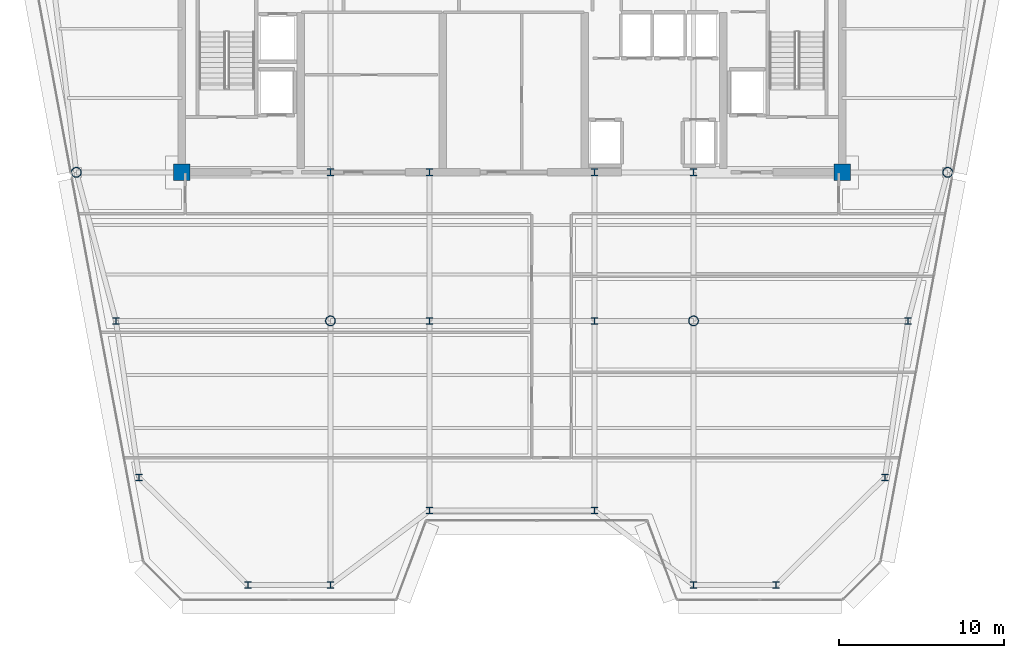
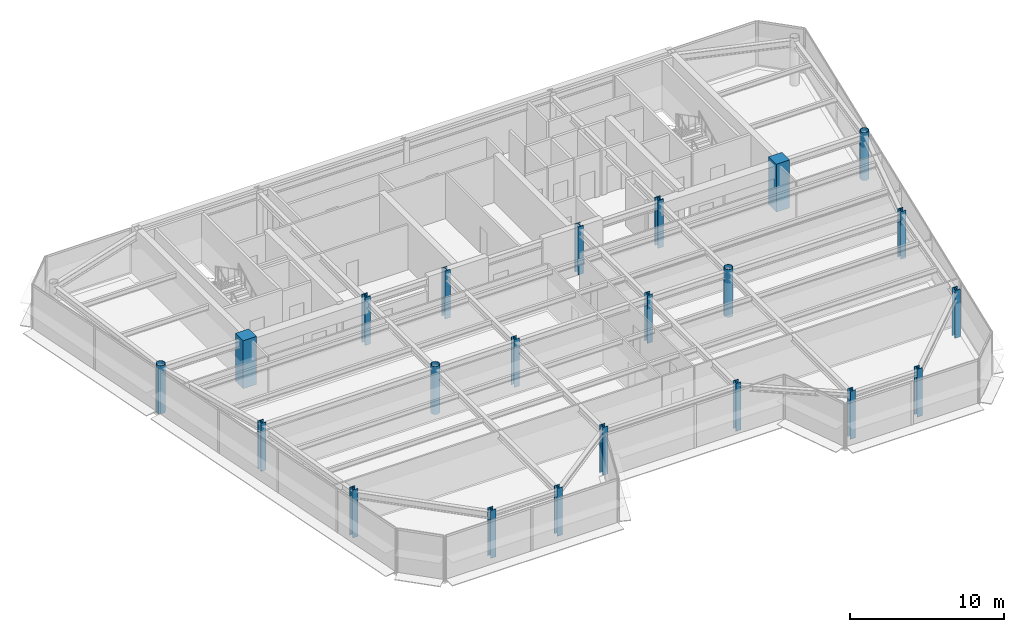
# One storey, part 1 of 18: 22 columns.
"""IFC4 building model written with IfcOpenShell, lengths in metres."""

from ifc_helpers import new_model, si_unit, direction, frame, origin, origin_2d, place, context, subcontext, project, spatial, rectangle, hollow_circle, i_section, extrude, source, transform, mapped, material, material_profile, profile_set, type_object, element, save


model = new_model("IFC4")

# Units and contexts
model_context = context("Model", 3, precision=1e-05, world=origin(), true_north=direction((0.0, 1.0)))
body_context = subcontext(model_context, "Body", "Model", "MODEL_VIEW")
ifc_project = project(units=[si_unit("LENGTHUNIT", "METRE"), si_unit("AREAUNIT", "SQUARE_METRE"), si_unit("VOLUMEUNIT", "CUBIC_METRE"), si_unit("PLANEANGLEUNIT", "RADIAN"), si_unit("MASSUNIT", "GRAM", prefix="KILO")], contexts=[model_context])

# Site, building, storey
site_placement = place(None, origin())
site = spatial("IfcSite", under=ifc_project, at=site_placement, CompositionType="ELEMENT")
building_placement = place(site_placement, origin())
building = spatial("IfcBuilding", under=site, at=building_placement, Name="Vaeldorn Concourse Tower", CompositionType="ELEMENT")
storey_placement = place(building_placement, frame((0.0, 0.0, 246.0)))
storey = spatial("IfcBuildingStorey", under=building, at=storey_placement, Name="L63", CompositionType="ELEMENT", Elevation=246.0)

# Columns
ifc_material_1 = material(Name="Concrete C50/60", Category="concrete")
ifc_material_profile_1 = material_profile(ifc_material_1, rectangle(XDim=1.0, YDim=1.0, at=origin_2d()), Name="RC 1000x1000")
ifc_profile_set_1 = profile_set([ifc_material_profile_1], Name="Concrete C50/60")
column_type_1 = type_object("IfcColumnType", Name="COL-RC1000", PredefinedType="COLUMN", material=ifc_profile_set_1)
shared_shape_1 = source(origin(), body_context, "Body", "SweptSolid", [
    extrude(rectangle(XDim=1.0, YDim=1.0, at=origin_2d()), origin(), (0.0, 0.0, 1.0), 3.800048828125),
])
for number, where, z_axis, x_axis, name in (
    (1, (14.0, 36.5, 0.0), (0.0, 0.0, 1.0), (1.0, 0.0, 0.0), "Column C-FC1 L63"),
    (2, (54.0, 36.5, 0.0), (0.0, 0.0, 1.0), (1.0, 0.0, 0.0), "Column C-FC6 L63"),
):
    element("IfcColumn", number, at=place(storey_placement, frame(where, z_axis=z_axis, x_axis=x_axis)), inside=storey, type_object=column_type_1, Name=name, PredefinedType="COLUMN", context=body_context, shape_type="MappedRepresentation", body=[
        mapped(shared_shape_1, transform((0.0, 0.0, 0.0), scale=1.0)),
    ])
ifc_material_2 = material(Name="Steel S460", Category="steel")
ifc_material_profile_2 = material_profile(ifc_material_2, i_section(OverallWidth=0.41796875, OverallDepth=0.455078125, WebThickness=0.0419921875, FlangeThickness=0.05810546875, FilletRadius=0.014892578125, at=origin_2d()), Name="HD 400x551")
ifc_profile_set_2 = profile_set([ifc_material_profile_2], Name="Steel S460")
column_type_2 = type_object("IfcColumnType", Name="COL-HD551", PredefinedType="COLUMN", material=ifc_profile_set_2)
shared_shape_2 = source(origin(), body_context, "Body", "SweptSolid", [
    extrude(i_section(OverallWidth=0.41796875, OverallDepth=0.455078125, WebThickness=0.0419921875, FlangeThickness=0.05810546875, FilletRadius=0.014892578125, at=origin_2d()), origin(), (0.0, 0.0, 1.0), 3.800048828125),
])
for number, where, z_axis, x_axis, name in (
    (3, (23.0, 36.5, 0.0), (0.0, 0.0, 1.0), (1.0, 0.0, 0.0), "Column C-FC2 L63"),
    (4, (29.0, 36.5, 0.0), (0.0, 0.0, 1.0), (1.0, 0.0, 0.0), "Column C-FC3 L63"),
    (5, (39.0, 36.5, 0.0), (0.0, 0.0, 1.0), (1.0, 0.0, 0.0), "Column C-FC4 L63"),
    (6, (45.0, 36.5, 0.0), (0.0, 0.0, 1.0), (1.0, 0.0, 0.0), "Column C-FC5 L63"),
):
    element("IfcColumn", number, at=place(storey_placement, frame(where, z_axis=z_axis, x_axis=x_axis)), inside=storey, type_object=column_type_2, Name=name, PredefinedType="COLUMN", context=body_context, shape_type="MappedRepresentation", body=[
        mapped(shared_shape_2, transform((0.0, 0.0, 0.0), scale=1.0)),
    ])
ifc_material_3 = material(Name="Steel S355", Category="steel")
ifc_material_profile_3 = material_profile(ifc_material_3, hollow_circle(Radius=0.304931640625, WallThickness=0.030029296875, at=origin_2d()), Name="CHS 610x30")
ifc_profile_set_3 = profile_set([ifc_material_profile_3], Name="Steel S355")
column_type_3 = type_object("IfcColumnType", Name="COL-CHS610", PredefinedType="COLUMN", material=ifc_profile_set_3)
shared_shape_3 = source(origin(), body_context, "Body", "SweptSolid", [
    extrude(hollow_circle(Radius=0.304931640625, WallThickness=0.030029296875, at=origin_2d()), origin(), (0.0, 0.0, 1.0), 3.800048828125),
])
for number, where, z_axis, x_axis, name in (
    (7, (7.60009765625, 36.5, 0.0), (0.0, 0.0, 1.0), (1.0, 0.0, 0.0), "Column C-NW2 L63"),
    (8, (60.39990234375, 36.5, 0.0), (0.0, 0.0, 1.0), (1.0, 0.0, 0.0), "Column C-NE2 L63"),
    (9, (23.0, 27.5, 0.0), (0.0, 0.0, 1.0), (1.0, 0.0, 0.0), "Column C-TW1 L63"),
    (10, (45.0, 27.5, 0.0), (0.0, 0.0, 1.0), (1.0, 0.0, 0.0), "Column C-TW4 L63"),
):
    element("IfcColumn", number, at=place(storey_placement, frame(where, z_axis=z_axis, x_axis=x_axis)), inside=storey, type_object=column_type_3, Name=name, PredefinedType="COLUMN", context=body_context, shape_type="MappedRepresentation", body=[
        mapped(shared_shape_3, transform((0.0, 0.0, 0.0), scale=1.0)),
    ])
ifc_material_profile_4 = material_profile(ifc_material_3, i_section(OverallWidth=0.40087890625, OverallDepth=0.39892578125, WebThickness=0.02490234375, FlangeThickness=0.034912109375, FilletRadius=0.014892578125, at=origin_2d()), Name="HD 400x314")
ifc_profile_set_4 = profile_set([ifc_material_profile_4], Name="Steel S355")
column_type_4 = type_object("IfcColumnType", Name="COL-HD314F", PredefinedType="COLUMN", material=ifc_profile_set_4)
shared_shape_4 = source(origin(), body_context, "Body", "SweptSolid", [
    extrude(i_section(OverallWidth=0.40087890625, OverallDepth=0.39892578125, WebThickness=0.02490234375, FlangeThickness=0.034912109375, FilletRadius=0.014892578125, at=origin_2d()), origin(), (0.0, 0.0, 1.0), 3.800048828125),
])
for number, where, z_axis, x_axis, name in (
    (11, (10.0, 27.5, 0.0), (0.0, 0.0, 1.0), (1.0, 0.0, 0.0), "Column C-FLW1 L63"),
    (12, (11.39990234375, 18.0, 0.0), (0.0, 0.0, 1.0), (1.0, 0.0, 0.0), "Column C-FLW2 L63"),
    (13, (58.0, 27.5, 0.0), (0.0, 0.0, 1.0), (1.0, 0.0, 0.0), "Column C-FLE1 L63"),
    (14, (56.60009765625, 18.0, 0.0), (0.0, 0.0, 1.0), (1.0, 0.0, 0.0), "Column C-FLE2 L63"),
):
    element("IfcColumn", number, at=place(storey_placement, frame(where, z_axis=z_axis, x_axis=x_axis)), inside=storey, type_object=column_type_4, Name=name, PredefinedType="COLUMN", context=body_context, shape_type="MappedRepresentation", body=[
        mapped(shared_shape_4, transform((0.0, 0.0, 0.0), scale=1.0)),
    ])
ifc_material_profile_5 = material_profile(ifc_material_3, i_section(OverallWidth=0.39794921875, OverallDepth=0.386962890625, WebThickness=0.0205078125, FlangeThickness=0.029052734375, FilletRadius=0.014892578125, at=origin_2d()), Name="HD 400x262")
ifc_profile_set_5 = profile_set([ifc_material_profile_5], Name="Steel S355")
column_type_5 = type_object("IfcColumnType", Name="COL-HD262T", PredefinedType="COLUMN", material=ifc_profile_set_5)
shared_shape_5 = source(origin(), body_context, "Body", "SweptSolid", [
    extrude(i_section(OverallWidth=0.39794921875, OverallDepth=0.386962890625, WebThickness=0.0205078125, FlangeThickness=0.029052734375, FilletRadius=0.014892578125, at=origin_2d()), origin(), (0.0, 0.0, 1.0), 3.800048828125),
])
for number, where, z_axis, x_axis, name in (
    (15, (29.0, 27.5, 0.0), (0.0, 0.0, 1.0), (1.0, 0.0, 0.0), "Column C-TW2 L63"),
    (16, (39.0, 27.5, 0.0), (0.0, 0.0, 1.0), (1.0, 0.0, 0.0), "Column C-TW3 L63"),
    (17, (18.0, 11.5, 0.0), (0.0, 0.0, 1.0), (1.0, 0.0, 0.0), "Column C-SF1 L63"),
    (18, (23.0, 11.5, 0.0), (0.0, 0.0, 1.0), (1.0, 0.0, 0.0), "Column C-SF2 L63"),
    (19, (29.0, 16.0, 0.0), (0.0, 0.0, 1.0), (1.0, 0.0, 0.0), "Column C-SF3 L63"),
    (20, (39.0, 16.0, 0.0), (0.0, 0.0, 1.0), (1.0, 0.0, 0.0), "Column C-SF4 L63"),
    (21, (45.0, 11.5, 0.0), (0.0, 0.0, 1.0), (1.0, 0.0, 0.0), "Column C-SF5 L63"),
    (22, (50.0, 11.5, 0.0), (0.0, 0.0, 1.0), (1.0, 0.0, 0.0), "Column C-SF6 L63"),
):
    element("IfcColumn", number, at=place(storey_placement, frame(where, z_axis=z_axis, x_axis=x_axis)), inside=storey, type_object=column_type_5, Name=name, PredefinedType="COLUMN", context=body_context, shape_type="MappedRepresentation", body=[
        mapped(shared_shape_5, transform((0.0, 0.0, 0.0), scale=1.0)),
    ])

save(model, "model.ifc")
